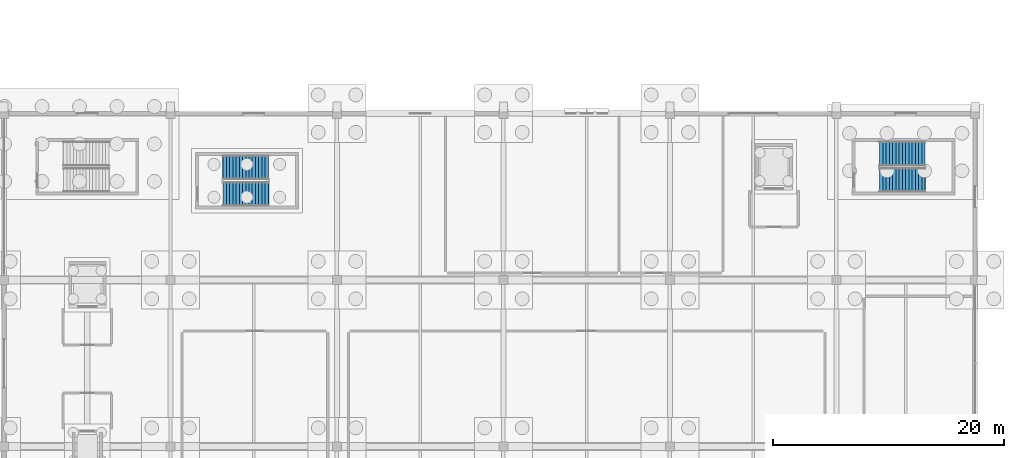
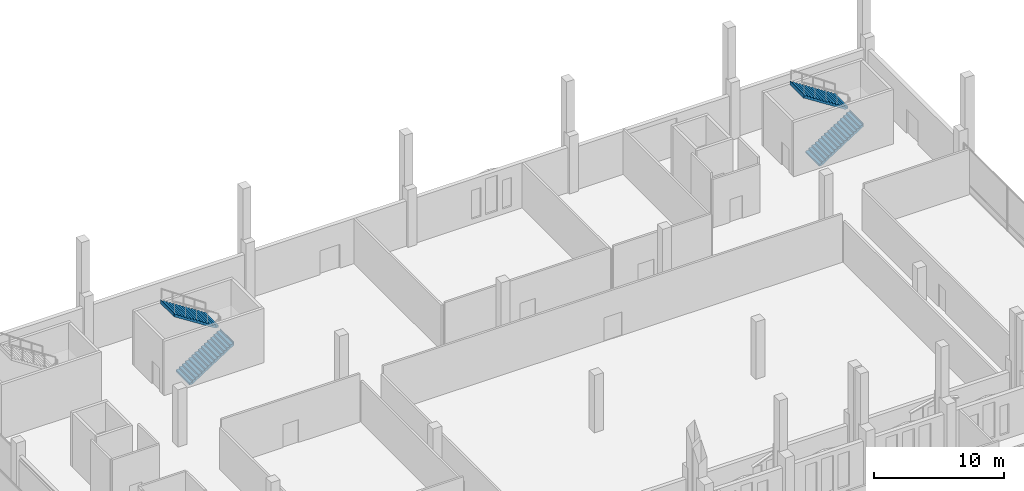
# One storey, part 168 of 192: 4 stair flights, 2 elements without a shape of their own.
"""IFC4 building model written with IfcOpenShell, lengths in metres."""

from ifc_helpers import new_model, si_unit, direction, frame, origin, place, context, subcontext, project, spatial, triangles, material, type_object, element, aggregate, save


model = new_model("IFC4")

# Units and contexts
model_context = context("Model", 3, precision=1e-05, world=origin(), true_north=direction((0.0, 1.0)))
body_context = subcontext(model_context, "Body", "Model", "MODEL_VIEW")
ifc_project = project(units=[si_unit("LENGTHUNIT", "METRE"), si_unit("AREAUNIT", "SQUARE_METRE"), si_unit("VOLUMEUNIT", "CUBIC_METRE"), si_unit("PLANEANGLEUNIT", "RADIAN"), si_unit("MASSUNIT", "GRAM", prefix="KILO")], contexts=[model_context])

# Site, building, storey
site_placement = place(None, origin())
site = spatial("IfcSite", under=ifc_project, at=site_placement, CompositionType="ELEMENT")
building_placement = place(site_placement, origin())
building = spatial("IfcBuilding", under=site, at=building_placement, Name="Cendralis Lancet Convention Centre", CompositionType="ELEMENT")
storey_placement = place(building_placement, origin())
storey = spatial("IfcBuildingStorey", under=building, at=storey_placement, Name="L00", CompositionType="ELEMENT", Elevation=0.0)

# Stair, stair flights
ifc_material = material(Name="Concrete G35 (C35/45)", Category="concrete")
stair_type = type_object("IfcStairType", Name="ARC-ST-CORE", PredefinedType="HALF_TURN_STAIR", material=ifc_material)
stair_1_placement = place(storey_placement, origin())
stair_1 = element("IfcStair", 1, at=stair_1_placement, inside=storey, type_object=stair_type, Name="L00 Protected Exit Stair ST-06", PredefinedType="HALF_TURN_STAIR")
stair_flight_type = type_object("IfcStairFlightType", Name="ARC-SF-CORE", PredefinedType="STRAIGHT", material=ifc_material)
stair_flight_1_placement = place(storey_placement, frame((200.550048828125, 131.050048828125, 0.0), z_axis=(0.0, 0.0, 1.0), x_axis=(1.0, 0.0, 0.0)))
stair_flight_1 = element("IfcStairFlight", 2, at=stair_flight_1_placement, type_object=stair_flight_type, Name="ST-06 flight 1", NumberOfRisers=15, NumberOfTreads=14, PredefinedType="STRAIGHT", RiserHeight=0.18, TreadLength=0.28, context=body_context, shape_type="Tessellation", body=[
    triangles([(0.0, 0.0, 0.09), (0.0, 1.050049, 0.0), (0.0, -1.050049, 0.0), (0.0, -1.050049, 0.18), (0.0, 1.050049, 0.18), (0.138604, 0.0, 0.18), (0.277208, -1.050049, 0.18), (0.277208, 1.050049, 0.18), (0.138604, 0.0, 0.0), (0.277208, -1.050049, 0.0), (0.277208, 1.050049, 0.0), (0.278604, 0.0, 0.18), (0.28, -1.050049, 0.18), (0.28, 1.050049, 0.18), (0.278604, 0.0, 0.000897), (0.28, -1.050049, 0.001795), (0.28, 1.050049, 0.001795), (0.28, 0.0, 0.27), (0.28, -1.050049, 0.36), (0.28, 1.050049, 0.36), (0.42, 0.0, 0.36), (0.56, -1.050049, 0.36), (0.56, 1.050049, 0.36), (0.42, 0.0, 0.091795), (0.56, -1.050049, 0.181795), (0.56, 1.050049, 0.181795), (0.56, 0.0, 0.45), (0.56, -1.050049, 0.54), (0.56, 1.050049, 0.54), (0.7, 0.0, 0.54), (0.84, -1.050049, 0.54), (0.84, 1.050049, 0.54), (0.7, 0.0, 0.271795), (0.84, -1.050049, 0.361795), (0.84, 1.050049, 0.361795), (0.84, 0.0, 0.63), (0.84, -1.050049, 0.72), (0.84, 1.050049, 0.72), (0.98, 0.0, 0.72), (1.12, -1.050049, 0.72), (1.12, 1.050049, 0.72), (0.98, 0.0, 0.451795), (1.12, -1.050049, 0.541795), (1.12, 1.050049, 0.541795), (1.12, 0.0, 0.81), (1.12, -1.050049, 0.9), (1.12, 1.050049, 0.9), (1.26, 0.0, 0.9), (1.4, -1.050049, 0.9), (1.4, 1.050049, 0.9), (1.26, 0.0, 0.631795), (1.4, -1.050049, 0.721795), (1.4, 1.050049, 0.721795), (1.4, 0.0, 0.99), (1.4, -1.050049, 1.08), (1.4, 1.050049, 1.08), (1.54, 0.0, 1.08), (1.68, -1.050049, 1.08), (1.68, 1.050049, 1.08), (1.54, 0.0, 0.811795), (1.68, -1.050049, 0.901795), (1.68, 1.050049, 0.901795), (1.68, 0.0, 1.17), (1.68, -1.050049, 1.26), (1.68, 1.050049, 1.26), (1.82, 0.0, 1.26), (1.96, -1.050049, 1.26), (1.96, 1.050049, 1.26), (1.82, 0.0, 0.991795), (1.96, -1.050049, 1.081795), (1.96, 1.050049, 1.081795), (1.96, 0.0, 1.35), (1.96, -1.050049, 1.44), (1.96, 1.050049, 1.44), (2.1, 0.0, 1.44), (2.24, -1.050049, 1.44), (2.24, 1.050049, 1.44), (2.1, 0.0, 1.171795), (2.24, -1.050049, 1.261795), (2.24, 1.050049, 1.261795), (2.24, 0.0, 1.53), (2.24, -1.050049, 1.62), (2.24, 1.050049, 1.62), (2.38, 0.0, 1.62), (2.52, -1.050049, 1.62), (2.52, 1.050049, 1.62), (2.38, 0.0, 1.351795), (2.52, -1.050049, 1.441795), (2.52, 1.050049, 1.441795), (2.52, 0.0, 1.71), (2.52, -1.050049, 1.8), (2.52, 1.050049, 1.8), (2.66, 0.0, 1.8), (2.8, -1.050049, 1.8), (2.8, 1.050049, 1.8), (2.66, 0.0, 1.531795), (2.8, -1.050049, 1.621795), (2.8, 1.050049, 1.621795), (2.8, 0.0, 1.89), (2.8, -1.050049, 1.98), (2.8, 1.050049, 1.98), (2.94, 0.0, 1.98), (3.08, -1.050049, 1.98), (3.08, 1.050049, 1.98), (2.94, 0.0, 1.711795), (3.08, -1.050049, 1.801795), (3.08, 1.050049, 1.801795), (3.08, 0.0, 2.07), (3.08, -1.050049, 2.16), (3.08, 1.050049, 2.16), (3.22, 0.0, 2.16), (3.36, -1.050049, 2.16), (3.36, 1.050049, 2.16), (3.22, 0.0, 1.891795), (3.36, -1.050049, 1.981795), (3.36, 1.050049, 1.981795), (3.36, 0.0, 2.25), (3.36, -1.050049, 2.34), (3.36, 1.050049, 2.34), (3.5, 0.0, 2.34), (3.64, -1.050049, 2.34), (3.64, 1.050049, 2.34), (3.5, 0.0, 2.071795), (3.64, -1.050049, 2.161795), (3.64, 1.050049, 2.161795), (3.64, 0.0, 2.43), (3.64, -1.050049, 2.52), (3.64, 1.050049, 2.52), (3.78, 0.0, 2.52), (3.92, -1.050049, 2.52), (3.92, 1.050049, 2.52), (3.78, 0.0, 2.251795), (3.92, -1.050049, 2.341795), (3.92, 1.050049, 2.341795), (3.92, 0.0, 2.61), (3.92, -1.050049, 2.7), (3.92, 1.050049, 2.7), (3.94, 0.0, 2.7), (3.96, -1.050049, 2.7), (3.96, 1.050049, 2.7), (3.94, 0.0, 2.341795), (3.96, -1.050049, 2.341795), (3.96, 1.050049, 2.341795), (3.96, 0.0, 2.520898)], [[2, 3, 1], [3, 4, 1], [4, 5, 1], [5, 2, 1], [4, 7, 6], [7, 8, 6], [8, 5, 6], [5, 4, 6], [10, 3, 9], [3, 2, 9], [2, 11, 9], [11, 10, 9], [3, 10, 7], [3, 7, 4], [2, 8, 11], [2, 5, 8], [7, 13, 12], [13, 14, 12], [14, 8, 12], [8, 7, 12], [16, 10, 15], [10, 11, 15], [11, 17, 15], [17, 16, 15], [10, 16, 13], [10, 13, 7], [11, 14, 17], [11, 8, 14], [14, 13, 18], [13, 19, 18], [19, 20, 18], [20, 14, 18], [19, 22, 21], [22, 23, 21], [23, 20, 21], [20, 19, 21], [25, 16, 24], [16, 17, 24], [17, 26, 24], [26, 25, 24], [16, 25, 22], [16, 22, 13], [13, 22, 19], [17, 23, 26], [17, 14, 23], [14, 20, 23], [23, 22, 27], [22, 28, 27], [28, 29, 27], [29, 23, 27], [28, 31, 30], [31, 32, 30], [32, 29, 30], [29, 28, 30], [34, 25, 33], [25, 26, 33], [26, 35, 33], [35, 34, 33], [25, 34, 31], [25, 31, 22], [22, 31, 28], [26, 32, 35], [26, 23, 32], [23, 29, 32], [32, 31, 36], [31, 37, 36], [37, 38, 36], [38, 32, 36], [37, 40, 39], [40, 41, 39], [41, 38, 39], [38, 37, 39], [43, 34, 42], [34, 35, 42], [35, 44, 42], [44, 43, 42], [34, 43, 40], [34, 40, 31], [31, 40, 37], [35, 41, 44], [35, 32, 41], [32, 38, 41], [41, 40, 45], [40, 46, 45], [46, 47, 45], [47, 41, 45], [46, 49, 48], [49, 50, 48], [50, 47, 48], [47, 46, 48], [52, 43, 51], [43, 44, 51], [44, 53, 51], [53, 52, 51], [43, 52, 49], [43, 49, 40], [40, 49, 46], [44, 50, 53], [44, 41, 50], [41, 47, 50], [50, 49, 54], [49, 55, 54], [55, 56, 54], [56, 50, 54], [55, 58, 57], [58, 59, 57], [59, 56, 57], [56, 55, 57], [61, 52, 60], [52, 53, 60], [53, 62, 60], [62, 61, 60], [52, 61, 58], [52, 58, 49], [49, 58, 55], [53, 59, 62], [53, 50, 59], [50, 56, 59], [59, 58, 63], [58, 64, 63], [64, 65, 63], [65, 59, 63], [64, 67, 66], [67, 68, 66], [68, 65, 66], [65, 64, 66], [70, 61, 69], [61, 62, 69], [62, 71, 69], [71, 70, 69], [61, 70, 67], [61, 67, 58], [58, 67, 64], [62, 68, 71], [62, 59, 68], [59, 65, 68], [68, 67, 72], [67, 73, 72], [73, 74, 72], [74, 68, 72], [73, 76, 75], [76, 77, 75], [77, 74, 75], [74, 73, 75], [79, 70, 78], [70, 71, 78], [71, 80, 78], [80, 79, 78], [70, 79, 76], [70, 76, 67], [67, 76, 73], [71, 77, 80], [71, 68, 77], [68, 74, 77], [77, 76, 81], [76, 82, 81], [82, 83, 81], [83, 77, 81], [82, 85, 84], [85, 86, 84], [86, 83, 84], [83, 82, 84], [88, 79, 87], [79, 80, 87], [80, 89, 87], [89, 88, 87], [79, 88, 85], [79, 85, 76], [76, 85, 82], [80, 86, 89], [80, 77, 86], [77, 83, 86], [86, 85, 90], [85, 91, 90], [91, 92, 90], [92, 86, 90], [91, 94, 93], [94, 95, 93], [95, 92, 93], [92, 91, 93], [97, 88, 96], [88, 89, 96], [89, 98, 96], [98, 97, 96], [88, 97, 94], [88, 94, 85], [85, 94, 91], [89, 95, 98], [89, 86, 95], [86, 92, 95], [95, 94, 99], [94, 100, 99], [100, 101, 99], [101, 95, 99], [100, 103, 102], [103, 104, 102], [104, 101, 102], [101, 100, 102], [106, 97, 105], [97, 98, 105], [98, 107, 105], [107, 106, 105], [97, 106, 103], [97, 103, 94], [94, 103, 100], [98, 104, 107], [98, 95, 104], [95, 101, 104], [104, 103, 108], [103, 109, 108], [109, 110, 108], [110, 104, 108], [109, 112, 111], [112, 113, 111], [113, 110, 111], [110, 109, 111], [115, 106, 114], [106, 107, 114], [107, 116, 114], [116, 115, 114], [106, 115, 112], [106, 112, 103], [103, 112, 109], [107, 113, 116], [107, 104, 113], [104, 110, 113], [113, 112, 117], [112, 118, 117], [118, 119, 117], [119, 113, 117], [118, 121, 120], [121, 122, 120], [122, 119, 120], [119, 118, 120], [124, 115, 123], [115, 116, 123], [116, 125, 123], [125, 124, 123], [115, 124, 121], [115, 121, 112], [112, 121, 118], [116, 122, 125], [116, 113, 122], [113, 119, 122], [122, 121, 126], [121, 127, 126], [127, 128, 126], [128, 122, 126], [127, 130, 129], [130, 131, 129], [131, 128, 129], [128, 127, 129], [133, 124, 132], [124, 125, 132], [125, 134, 132], [134, 133, 132], [124, 133, 130], [124, 130, 121], [121, 130, 127], [125, 131, 134], [125, 122, 131], [122, 128, 131], [131, 130, 135], [130, 136, 135], [136, 137, 135], [137, 131, 135], [136, 139, 138], [139, 140, 138], [140, 137, 138], [137, 136, 138], [142, 133, 141], [133, 134, 141], [134, 143, 141], [143, 142, 141], [133, 142, 139], [133, 139, 130], [130, 139, 136], [134, 140, 143], [134, 131, 140], [131, 137, 140], [142, 143, 144], [143, 140, 144], [140, 139, 144], [139, 142, 144]], closed=True),
])
stair_flight_2_placement = place(storey_placement, frame((204.469970703125, 133.330078125, 2.699951171875), z_axis=(0.0, 0.0, 1.0), x_axis=(-1.0, 0.0, 0.0)))
stair_flight_2 = element("IfcStairFlight", 3, at=stair_flight_2_placement, type_object=stair_flight_type, Name="ST-06 flight 2", NumberOfRisers=15, NumberOfTreads=14, PredefinedType="STRAIGHT", RiserHeight=0.18, TreadLength=0.28, context=body_context, shape_type="Tessellation", body=[
    triangles([(0.0, 0.0, 0.09), (0.0, 1.050049, 0.0), (0.0, -1.050049, 0.0), (0.0, -1.050049, 0.18), (0.0, 1.050049, 0.18), (0.138604, 0.0, 0.18), (0.277208, -1.050049, 0.18), (0.277208, 1.050049, 0.18), (0.138604, 0.0, 0.0), (0.277208, -1.050049, 0.0), (0.277208, 1.050049, 0.0), (0.278604, 0.0, 0.18), (0.28, -1.050049, 0.18), (0.28, 1.050049, 0.18), (0.278604, 0.0, 0.000897), (0.28, -1.050049, 0.001795), (0.28, 1.050049, 0.001795), (0.28, 0.0, 0.27), (0.28, -1.050049, 0.36), (0.28, 1.050049, 0.36), (0.42, 0.0, 0.36), (0.56, -1.050049, 0.36), (0.56, 1.050049, 0.36), (0.42, 0.0, 0.091795), (0.56, -1.050049, 0.181795), (0.56, 1.050049, 0.181795), (0.56, 0.0, 0.45), (0.56, -1.050049, 0.54), (0.56, 1.050049, 0.54), (0.7, 0.0, 0.54), (0.84, -1.050049, 0.54), (0.84, 1.050049, 0.54), (0.7, 0.0, 0.271795), (0.84, -1.050049, 0.361795), (0.84, 1.050049, 0.361795), (0.84, 0.0, 0.63), (0.84, -1.050049, 0.72), (0.84, 1.050049, 0.72), (0.98, 0.0, 0.72), (1.12, -1.050049, 0.72), (1.12, 1.050049, 0.72), (0.98, 0.0, 0.451795), (1.12, -1.050049, 0.541795), (1.12, 1.050049, 0.541795), (1.12, 0.0, 0.81), (1.12, -1.050049, 0.9), (1.12, 1.050049, 0.9), (1.26, 0.0, 0.9), (1.4, -1.050049, 0.9), (1.4, 1.050049, 0.9), (1.26, 0.0, 0.631795), (1.4, -1.050049, 0.721795), (1.4, 1.050049, 0.721795), (1.4, 0.0, 0.99), (1.4, -1.050049, 1.08), (1.4, 1.050049, 1.08), (1.54, 0.0, 1.08), (1.68, -1.050049, 1.08), (1.68, 1.050049, 1.08), (1.54, 0.0, 0.811795), (1.68, -1.050049, 0.901795), (1.68, 1.050049, 0.901795), (1.68, 0.0, 1.17), (1.68, -1.050049, 1.26), (1.68, 1.050049, 1.26), (1.82, 0.0, 1.26), (1.96, -1.050049, 1.26), (1.96, 1.050049, 1.26), (1.82, 0.0, 0.991795), (1.96, -1.050049, 1.081795), (1.96, 1.050049, 1.081795), (1.96, 0.0, 1.35), (1.96, -1.050049, 1.44), (1.96, 1.050049, 1.44), (2.1, 0.0, 1.44), (2.24, -1.050049, 1.44), (2.24, 1.050049, 1.44), (2.1, 0.0, 1.171795), (2.24, -1.050049, 1.261795), (2.24, 1.050049, 1.261795), (2.24, 0.0, 1.53), (2.24, -1.050049, 1.62), (2.24, 1.050049, 1.62), (2.38, 0.0, 1.62), (2.52, -1.050049, 1.62), (2.52, 1.050049, 1.62), (2.38, 0.0, 1.351795), (2.52, -1.050049, 1.441795), (2.52, 1.050049, 1.441795), (2.52, 0.0, 1.71), (2.52, -1.050049, 1.8), (2.52, 1.050049, 1.8), (2.66, 0.0, 1.8), (2.8, -1.050049, 1.8), (2.8, 1.050049, 1.8), (2.66, 0.0, 1.531795), (2.8, -1.050049, 1.621795), (2.8, 1.050049, 1.621795), (2.8, 0.0, 1.89), (2.8, -1.050049, 1.98), (2.8, 1.050049, 1.98), (2.94, 0.0, 1.98), (3.08, -1.050049, 1.98), (3.08, 1.050049, 1.98), (2.94, 0.0, 1.711795), (3.08, -1.050049, 1.801795), (3.08, 1.050049, 1.801795), (3.08, 0.0, 2.07), (3.08, -1.050049, 2.16), (3.08, 1.050049, 2.16), (3.22, 0.0, 2.16), (3.36, -1.050049, 2.16), (3.36, 1.050049, 2.16), (3.22, 0.0, 1.891795), (3.36, -1.050049, 1.981795), (3.36, 1.050049, 1.981795), (3.36, 0.0, 2.25), (3.36, -1.050049, 2.34), (3.36, 1.050049, 2.34), (3.5, 0.0, 2.34), (3.64, -1.050049, 2.34), (3.64, 1.050049, 2.34), (3.5, 0.0, 2.071795), (3.64, -1.050049, 2.161795), (3.64, 1.050049, 2.161795), (3.64, 0.0, 2.43), (3.64, -1.050049, 2.52), (3.64, 1.050049, 2.52), (3.78, 0.0, 2.52), (3.92, -1.050049, 2.52), (3.92, 1.050049, 2.52), (3.78, 0.0, 2.251795), (3.92, -1.050049, 2.341795), (3.92, 1.050049, 2.341795), (3.92, 0.0, 2.61), (3.92, -1.050049, 2.7), (3.92, 1.050049, 2.7), (3.94, 0.0, 2.7), (3.96, -1.050049, 2.7), (3.96, 1.050049, 2.7), (3.94, 0.0, 2.341795), (3.96, -1.050049, 2.341795), (3.96, 1.050049, 2.341795), (3.96, 0.0, 2.520898)], [[2, 3, 1], [3, 4, 1], [4, 5, 1], [5, 2, 1], [4, 7, 6], [7, 8, 6], [8, 5, 6], [5, 4, 6], [10, 3, 9], [3, 2, 9], [2, 11, 9], [11, 10, 9], [3, 10, 7], [3, 7, 4], [2, 8, 11], [2, 5, 8], [7, 13, 12], [13, 14, 12], [14, 8, 12], [8, 7, 12], [16, 10, 15], [10, 11, 15], [11, 17, 15], [17, 16, 15], [10, 16, 13], [10, 13, 7], [11, 14, 17], [11, 8, 14], [14, 13, 18], [13, 19, 18], [19, 20, 18], [20, 14, 18], [19, 22, 21], [22, 23, 21], [23, 20, 21], [20, 19, 21], [25, 16, 24], [16, 17, 24], [17, 26, 24], [26, 25, 24], [16, 25, 22], [16, 22, 13], [13, 22, 19], [17, 23, 26], [17, 14, 23], [14, 20, 23], [23, 22, 27], [22, 28, 27], [28, 29, 27], [29, 23, 27], [28, 31, 30], [31, 32, 30], [32, 29, 30], [29, 28, 30], [34, 25, 33], [25, 26, 33], [26, 35, 33], [35, 34, 33], [25, 34, 31], [25, 31, 22], [22, 31, 28], [26, 32, 35], [26, 23, 32], [23, 29, 32], [32, 31, 36], [31, 37, 36], [37, 38, 36], [38, 32, 36], [37, 40, 39], [40, 41, 39], [41, 38, 39], [38, 37, 39], [43, 34, 42], [34, 35, 42], [35, 44, 42], [44, 43, 42], [34, 43, 40], [34, 40, 31], [31, 40, 37], [35, 41, 44], [35, 32, 41], [32, 38, 41], [41, 40, 45], [40, 46, 45], [46, 47, 45], [47, 41, 45], [46, 49, 48], [49, 50, 48], [50, 47, 48], [47, 46, 48], [52, 43, 51], [43, 44, 51], [44, 53, 51], [53, 52, 51], [43, 52, 49], [43, 49, 40], [40, 49, 46], [44, 50, 53], [44, 41, 50], [41, 47, 50], [50, 49, 54], [49, 55, 54], [55, 56, 54], [56, 50, 54], [55, 58, 57], [58, 59, 57], [59, 56, 57], [56, 55, 57], [61, 52, 60], [52, 53, 60], [53, 62, 60], [62, 61, 60], [52, 61, 58], [52, 58, 49], [49, 58, 55], [53, 59, 62], [53, 50, 59], [50, 56, 59], [59, 58, 63], [58, 64, 63], [64, 65, 63], [65, 59, 63], [64, 67, 66], [67, 68, 66], [68, 65, 66], [65, 64, 66], [70, 61, 69], [61, 62, 69], [62, 71, 69], [71, 70, 69], [61, 70, 67], [61, 67, 58], [58, 67, 64], [62, 68, 71], [62, 59, 68], [59, 65, 68], [68, 67, 72], [67, 73, 72], [73, 74, 72], [74, 68, 72], [73, 76, 75], [76, 77, 75], [77, 74, 75], [74, 73, 75], [79, 70, 78], [70, 71, 78], [71, 80, 78], [80, 79, 78], [70, 79, 76], [70, 76, 67], [67, 76, 73], [71, 77, 80], [71, 68, 77], [68, 74, 77], [77, 76, 81], [76, 82, 81], [82, 83, 81], [83, 77, 81], [82, 85, 84], [85, 86, 84], [86, 83, 84], [83, 82, 84], [88, 79, 87], [79, 80, 87], [80, 89, 87], [89, 88, 87], [79, 88, 85], [79, 85, 76], [76, 85, 82], [80, 86, 89], [80, 77, 86], [77, 83, 86], [86, 85, 90], [85, 91, 90], [91, 92, 90], [92, 86, 90], [91, 94, 93], [94, 95, 93], [95, 92, 93], [92, 91, 93], [97, 88, 96], [88, 89, 96], [89, 98, 96], [98, 97, 96], [88, 97, 94], [88, 94, 85], [85, 94, 91], [89, 95, 98], [89, 86, 95], [86, 92, 95], [95, 94, 99], [94, 100, 99], [100, 101, 99], [101, 95, 99], [100, 103, 102], [103, 104, 102], [104, 101, 102], [101, 100, 102], [106, 97, 105], [97, 98, 105], [98, 107, 105], [107, 106, 105], [97, 106, 103], [97, 103, 94], [94, 103, 100], [98, 104, 107], [98, 95, 104], [95, 101, 104], [104, 103, 108], [103, 109, 108], [109, 110, 108], [110, 104, 108], [109, 112, 111], [112, 113, 111], [113, 110, 111], [110, 109, 111], [115, 106, 114], [106, 107, 114], [107, 116, 114], [116, 115, 114], [106, 115, 112], [106, 112, 103], [103, 112, 109], [107, 113, 116], [107, 104, 113], [104, 110, 113], [113, 112, 117], [112, 118, 117], [118, 119, 117], [119, 113, 117], [118, 121, 120], [121, 122, 120], [122, 119, 120], [119, 118, 120], [124, 115, 123], [115, 116, 123], [116, 125, 123], [125, 124, 123], [115, 124, 121], [115, 121, 112], [112, 121, 118], [116, 122, 125], [116, 113, 122], [113, 119, 122], [122, 121, 126], [121, 127, 126], [127, 128, 126], [128, 122, 126], [127, 130, 129], [130, 131, 129], [131, 128, 129], [128, 127, 129], [133, 124, 132], [124, 125, 132], [125, 134, 132], [134, 133, 132], [124, 133, 130], [124, 130, 121], [121, 130, 127], [125, 131, 134], [125, 122, 131], [122, 128, 131], [131, 130, 135], [130, 136, 135], [136, 137, 135], [137, 131, 135], [136, 139, 138], [139, 140, 138], [140, 137, 138], [137, 136, 138], [142, 133, 141], [133, 134, 141], [134, 143, 141], [143, 142, 141], [133, 142, 139], [133, 139, 130], [130, 139, 136], [134, 140, 143], [134, 131, 140], [131, 137, 140], [142, 143, 144], [143, 140, 144], [140, 139, 144], [139, 142, 144]], closed=True),
])
aggregate(stair_1, [stair_flight_1, stair_flight_2])

stair_2_placement = place(storey_placement, origin())
stair_2 = element("IfcStair", 4, at=stair_2_placement, inside=storey, type_object=stair_type, Name="L00 Protected Exit Stair ST-19", PredefinedType="HALF_TURN_STAIR")
stair_flight_3_placement = place(storey_placement, frame((143.75, 129.85009765625, 0.0), z_axis=(0.0, 0.0, 1.0), x_axis=(1.0, 0.0, 0.0)))
stair_flight_3 = element("IfcStairFlight", 5, at=stair_flight_3_placement, type_object=stair_flight_type, Name="ST-19 flight 1", NumberOfRisers=15, NumberOfTreads=14, PredefinedType="STRAIGHT", RiserHeight=0.18, TreadLength=0.28, context=body_context, shape_type="Tessellation", body=[
    triangles([(0.0, 0.0, 0.09), (0.0, 1.050049, 0.0), (0.0, -1.050049, 0.0), (0.0, -1.050049, 0.18), (0.0, 1.050049, 0.18), (0.138604, 0.0, 0.18), (0.277208, -1.050049, 0.18), (0.277208, 1.050049, 0.18), (0.138604, 0.0, 0.0), (0.277208, -1.050049, 0.0), (0.277208, 1.050049, 0.0), (0.278604, 0.0, 0.18), (0.28, -1.050049, 0.18), (0.28, 1.050049, 0.18), (0.278604, 0.0, 0.000897), (0.28, -1.050049, 0.001795), (0.28, 1.050049, 0.001795), (0.28, 0.0, 0.27), (0.28, -1.050049, 0.36), (0.28, 1.050049, 0.36), (0.42, 0.0, 0.36), (0.56, -1.050049, 0.36), (0.56, 1.050049, 0.36), (0.42, 0.0, 0.091795), (0.56, -1.050049, 0.181795), (0.56, 1.050049, 0.181795), (0.56, 0.0, 0.45), (0.56, -1.050049, 0.54), (0.56, 1.050049, 0.54), (0.7, 0.0, 0.54), (0.84, -1.050049, 0.54), (0.84, 1.050049, 0.54), (0.7, 0.0, 0.271795), (0.84, -1.050049, 0.361795), (0.84, 1.050049, 0.361795), (0.84, 0.0, 0.63), (0.84, -1.050049, 0.72), (0.84, 1.050049, 0.72), (0.98, 0.0, 0.72), (1.12, -1.050049, 0.72), (1.12, 1.050049, 0.72), (0.98, 0.0, 0.451795), (1.12, -1.050049, 0.541795), (1.12, 1.050049, 0.541795), (1.12, 0.0, 0.81), (1.12, -1.050049, 0.9), (1.12, 1.050049, 0.9), (1.26, 0.0, 0.9), (1.4, -1.050049, 0.9), (1.4, 1.050049, 0.9), (1.26, 0.0, 0.631795), (1.4, -1.050049, 0.721795), (1.4, 1.050049, 0.721795), (1.4, 0.0, 0.99), (1.4, -1.050049, 1.08), (1.4, 1.050049, 1.08), (1.54, 0.0, 1.08), (1.68, -1.050049, 1.08), (1.68, 1.050049, 1.08), (1.54, 0.0, 0.811795), (1.68, -1.050049, 0.901795), (1.68, 1.050049, 0.901795), (1.68, 0.0, 1.17), (1.68, -1.050049, 1.26), (1.68, 1.050049, 1.26), (1.82, 0.0, 1.26), (1.96, -1.050049, 1.26), (1.96, 1.050049, 1.26), (1.82, 0.0, 0.991795), (1.96, -1.050049, 1.081795), (1.96, 1.050049, 1.081795), (1.96, 0.0, 1.35), (1.96, -1.050049, 1.44), (1.96, 1.050049, 1.44), (2.1, 0.0, 1.44), (2.24, -1.050049, 1.44), (2.24, 1.050049, 1.44), (2.1, 0.0, 1.171795), (2.24, -1.050049, 1.261795), (2.24, 1.050049, 1.261795), (2.24, 0.0, 1.53), (2.24, -1.050049, 1.62), (2.24, 1.050049, 1.62), (2.38, 0.0, 1.62), (2.52, -1.050049, 1.62), (2.52, 1.050049, 1.62), (2.38, 0.0, 1.351795), (2.52, -1.050049, 1.441795), (2.52, 1.050049, 1.441795), (2.52, 0.0, 1.71), (2.52, -1.050049, 1.8), (2.52, 1.050049, 1.8), (2.66, 0.0, 1.8), (2.8, -1.050049, 1.8), (2.8, 1.050049, 1.8), (2.66, 0.0, 1.531795), (2.8, -1.050049, 1.621795), (2.8, 1.050049, 1.621795), (2.8, 0.0, 1.89), (2.8, -1.050049, 1.98), (2.8, 1.050049, 1.98), (2.94, 0.0, 1.98), (3.08, -1.050049, 1.98), (3.08, 1.050049, 1.98), (2.94, 0.0, 1.711795), (3.08, -1.050049, 1.801795), (3.08, 1.050049, 1.801795), (3.08, 0.0, 2.07), (3.08, -1.050049, 2.16), (3.08, 1.050049, 2.16), (3.22, 0.0, 2.16), (3.36, -1.050049, 2.16), (3.36, 1.050049, 2.16), (3.22, 0.0, 1.891795), (3.36, -1.050049, 1.981795), (3.36, 1.050049, 1.981795), (3.36, 0.0, 2.25), (3.36, -1.050049, 2.34), (3.36, 1.050049, 2.34), (3.5, 0.0, 2.34), (3.64, -1.050049, 2.34), (3.64, 1.050049, 2.34), (3.5, 0.0, 2.071795), (3.64, -1.050049, 2.161795), (3.64, 1.050049, 2.161795), (3.64, 0.0, 2.43), (3.64, -1.050049, 2.52), (3.64, 1.050049, 2.52), (3.78, 0.0, 2.52), (3.92, -1.050049, 2.52), (3.92, 1.050049, 2.52), (3.78, 0.0, 2.251795), (3.92, -1.050049, 2.341795), (3.92, 1.050049, 2.341795), (3.92, 0.0, 2.61), (3.92, -1.050049, 2.7), (3.92, 1.050049, 2.7), (3.94, 0.0, 2.7), (3.96, -1.050049, 2.7), (3.96, 1.050049, 2.7), (3.94, 0.0, 2.341795), (3.96, -1.050049, 2.341795), (3.96, 1.050049, 2.341795), (3.96, 0.0, 2.520898)], [[2, 3, 1], [3, 4, 1], [4, 5, 1], [5, 2, 1], [4, 7, 6], [7, 8, 6], [8, 5, 6], [5, 4, 6], [10, 3, 9], [3, 2, 9], [2, 11, 9], [11, 10, 9], [3, 10, 7], [3, 7, 4], [2, 8, 11], [2, 5, 8], [7, 13, 12], [13, 14, 12], [14, 8, 12], [8, 7, 12], [16, 10, 15], [10, 11, 15], [11, 17, 15], [17, 16, 15], [10, 16, 13], [10, 13, 7], [11, 14, 17], [11, 8, 14], [14, 13, 18], [13, 19, 18], [19, 20, 18], [20, 14, 18], [19, 22, 21], [22, 23, 21], [23, 20, 21], [20, 19, 21], [25, 16, 24], [16, 17, 24], [17, 26, 24], [26, 25, 24], [16, 25, 22], [16, 22, 13], [13, 22, 19], [17, 23, 26], [17, 14, 23], [14, 20, 23], [23, 22, 27], [22, 28, 27], [28, 29, 27], [29, 23, 27], [28, 31, 30], [31, 32, 30], [32, 29, 30], [29, 28, 30], [34, 25, 33], [25, 26, 33], [26, 35, 33], [35, 34, 33], [25, 34, 31], [25, 31, 22], [22, 31, 28], [26, 32, 35], [26, 23, 32], [23, 29, 32], [32, 31, 36], [31, 37, 36], [37, 38, 36], [38, 32, 36], [37, 40, 39], [40, 41, 39], [41, 38, 39], [38, 37, 39], [43, 34, 42], [34, 35, 42], [35, 44, 42], [44, 43, 42], [34, 43, 40], [34, 40, 31], [31, 40, 37], [35, 41, 44], [35, 32, 41], [32, 38, 41], [41, 40, 45], [40, 46, 45], [46, 47, 45], [47, 41, 45], [46, 49, 48], [49, 50, 48], [50, 47, 48], [47, 46, 48], [52, 43, 51], [43, 44, 51], [44, 53, 51], [53, 52, 51], [43, 52, 49], [43, 49, 40], [40, 49, 46], [44, 50, 53], [44, 41, 50], [41, 47, 50], [50, 49, 54], [49, 55, 54], [55, 56, 54], [56, 50, 54], [55, 58, 57], [58, 59, 57], [59, 56, 57], [56, 55, 57], [61, 52, 60], [52, 53, 60], [53, 62, 60], [62, 61, 60], [52, 61, 58], [52, 58, 49], [49, 58, 55], [53, 59, 62], [53, 50, 59], [50, 56, 59], [59, 58, 63], [58, 64, 63], [64, 65, 63], [65, 59, 63], [64, 67, 66], [67, 68, 66], [68, 65, 66], [65, 64, 66], [70, 61, 69], [61, 62, 69], [62, 71, 69], [71, 70, 69], [61, 70, 67], [61, 67, 58], [58, 67, 64], [62, 68, 71], [62, 59, 68], [59, 65, 68], [68, 67, 72], [67, 73, 72], [73, 74, 72], [74, 68, 72], [73, 76, 75], [76, 77, 75], [77, 74, 75], [74, 73, 75], [79, 70, 78], [70, 71, 78], [71, 80, 78], [80, 79, 78], [70, 79, 76], [70, 76, 67], [67, 76, 73], [71, 77, 80], [71, 68, 77], [68, 74, 77], [77, 76, 81], [76, 82, 81], [82, 83, 81], [83, 77, 81], [82, 85, 84], [85, 86, 84], [86, 83, 84], [83, 82, 84], [88, 79, 87], [79, 80, 87], [80, 89, 87], [89, 88, 87], [79, 88, 85], [79, 85, 76], [76, 85, 82], [80, 86, 89], [80, 77, 86], [77, 83, 86], [86, 85, 90], [85, 91, 90], [91, 92, 90], [92, 86, 90], [91, 94, 93], [94, 95, 93], [95, 92, 93], [92, 91, 93], [97, 88, 96], [88, 89, 96], [89, 98, 96], [98, 97, 96], [88, 97, 94], [88, 94, 85], [85, 94, 91], [89, 95, 98], [89, 86, 95], [86, 92, 95], [95, 94, 99], [94, 100, 99], [100, 101, 99], [101, 95, 99], [100, 103, 102], [103, 104, 102], [104, 101, 102], [101, 100, 102], [106, 97, 105], [97, 98, 105], [98, 107, 105], [107, 106, 105], [97, 106, 103], [97, 103, 94], [94, 103, 100], [98, 104, 107], [98, 95, 104], [95, 101, 104], [104, 103, 108], [103, 109, 108], [109, 110, 108], [110, 104, 108], [109, 112, 111], [112, 113, 111], [113, 110, 111], [110, 109, 111], [115, 106, 114], [106, 107, 114], [107, 116, 114], [116, 115, 114], [106, 115, 112], [106, 112, 103], [103, 112, 109], [107, 113, 116], [107, 104, 113], [104, 110, 113], [113, 112, 117], [112, 118, 117], [118, 119, 117], [119, 113, 117], [118, 121, 120], [121, 122, 120], [122, 119, 120], [119, 118, 120], [124, 115, 123], [115, 116, 123], [116, 125, 123], [125, 124, 123], [115, 124, 121], [115, 121, 112], [112, 121, 118], [116, 122, 125], [116, 113, 122], [113, 119, 122], [122, 121, 126], [121, 127, 126], [127, 128, 126], [128, 122, 126], [127, 130, 129], [130, 131, 129], [131, 128, 129], [128, 127, 129], [133, 124, 132], [124, 125, 132], [125, 134, 132], [134, 133, 132], [124, 133, 130], [124, 130, 121], [121, 130, 127], [125, 131, 134], [125, 122, 131], [122, 128, 131], [131, 130, 135], [130, 136, 135], [136, 137, 135], [137, 131, 135], [136, 139, 138], [139, 140, 138], [140, 137, 138], [137, 136, 138], [142, 133, 141], [133, 134, 141], [134, 143, 141], [143, 142, 141], [133, 142, 139], [133, 139, 130], [130, 139, 136], [134, 140, 143], [134, 131, 140], [131, 137, 140], [142, 143, 144], [143, 140, 144], [140, 139, 144], [139, 142, 144]], closed=True),
])
stair_flight_4_placement = place(storey_placement, frame((147.669921875, 132.1298828125, 2.699951171875), z_axis=(0.0, 0.0, 1.0), x_axis=(-1.0, 0.0, 0.0)))
stair_flight_4 = element("IfcStairFlight", 6, at=stair_flight_4_placement, type_object=stair_flight_type, Name="ST-19 flight 2", NumberOfRisers=15, NumberOfTreads=14, PredefinedType="STRAIGHT", RiserHeight=0.18, TreadLength=0.28, context=body_context, shape_type="Tessellation", body=[
    triangles([(0.0, 0.0, 0.09), (0.0, 1.050049, 0.0), (0.0, -1.050049, 0.0), (0.0, -1.050049, 0.18), (0.0, 1.050049, 0.18), (0.138604, 0.0, 0.18), (0.277208, -1.050049, 0.18), (0.277208, 1.050049, 0.18), (0.138604, 0.0, 0.0), (0.277208, -1.050049, 0.0), (0.277208, 1.050049, 0.0), (0.278604, 0.0, 0.18), (0.28, -1.050049, 0.18), (0.28, 1.050049, 0.18), (0.278604, 0.0, 0.000897), (0.28, -1.050049, 0.001795), (0.28, 1.050049, 0.001795), (0.28, 0.0, 0.27), (0.28, -1.050049, 0.36), (0.28, 1.050049, 0.36), (0.42, 0.0, 0.36), (0.56, -1.050049, 0.36), (0.56, 1.050049, 0.36), (0.42, 0.0, 0.091795), (0.56, -1.050049, 0.181795), (0.56, 1.050049, 0.181795), (0.56, 0.0, 0.45), (0.56, -1.050049, 0.54), (0.56, 1.050049, 0.54), (0.7, 0.0, 0.54), (0.84, -1.050049, 0.54), (0.84, 1.050049, 0.54), (0.7, 0.0, 0.271795), (0.84, -1.050049, 0.361795), (0.84, 1.050049, 0.361795), (0.84, 0.0, 0.63), (0.84, -1.050049, 0.72), (0.84, 1.050049, 0.72), (0.98, 0.0, 0.72), (1.12, -1.050049, 0.72), (1.12, 1.050049, 0.72), (0.98, 0.0, 0.451795), (1.12, -1.050049, 0.541795), (1.12, 1.050049, 0.541795), (1.12, 0.0, 0.81), (1.12, -1.050049, 0.9), (1.12, 1.050049, 0.9), (1.26, 0.0, 0.9), (1.4, -1.050049, 0.9), (1.4, 1.050049, 0.9), (1.26, 0.0, 0.631795), (1.4, -1.050049, 0.721795), (1.4, 1.050049, 0.721795), (1.4, 0.0, 0.99), (1.4, -1.050049, 1.08), (1.4, 1.050049, 1.08), (1.54, 0.0, 1.08), (1.68, -1.050049, 1.08), (1.68, 1.050049, 1.08), (1.54, 0.0, 0.811795), (1.68, -1.050049, 0.901795), (1.68, 1.050049, 0.901795), (1.68, 0.0, 1.17), (1.68, -1.050049, 1.26), (1.68, 1.050049, 1.26), (1.82, 0.0, 1.26), (1.96, -1.050049, 1.26), (1.96, 1.050049, 1.26), (1.82, 0.0, 0.991795), (1.96, -1.050049, 1.081795), (1.96, 1.050049, 1.081795), (1.96, 0.0, 1.35), (1.96, -1.050049, 1.44), (1.96, 1.050049, 1.44), (2.1, 0.0, 1.44), (2.24, -1.050049, 1.44), (2.24, 1.050049, 1.44), (2.1, 0.0, 1.171795), (2.24, -1.050049, 1.261795), (2.24, 1.050049, 1.261795), (2.24, 0.0, 1.53), (2.24, -1.050049, 1.62), (2.24, 1.050049, 1.62), (2.38, 0.0, 1.62), (2.52, -1.050049, 1.62), (2.52, 1.050049, 1.62), (2.38, 0.0, 1.351795), (2.52, -1.050049, 1.441795), (2.52, 1.050049, 1.441795), (2.52, 0.0, 1.71), (2.52, -1.050049, 1.8), (2.52, 1.050049, 1.8), (2.66, 0.0, 1.8), (2.8, -1.050049, 1.8), (2.8, 1.050049, 1.8), (2.66, 0.0, 1.531795), (2.8, -1.050049, 1.621795), (2.8, 1.050049, 1.621795), (2.8, 0.0, 1.89), (2.8, -1.050049, 1.98), (2.8, 1.050049, 1.98), (2.94, 0.0, 1.98), (3.08, -1.050049, 1.98), (3.08, 1.050049, 1.98), (2.94, 0.0, 1.711795), (3.08, -1.050049, 1.801795), (3.08, 1.050049, 1.801795), (3.08, 0.0, 2.07), (3.08, -1.050049, 2.16), (3.08, 1.050049, 2.16), (3.22, 0.0, 2.16), (3.36, -1.050049, 2.16), (3.36, 1.050049, 2.16), (3.22, 0.0, 1.891795), (3.36, -1.050049, 1.981795), (3.36, 1.050049, 1.981795), (3.36, 0.0, 2.25), (3.36, -1.050049, 2.34), (3.36, 1.050049, 2.34), (3.5, 0.0, 2.34), (3.64, -1.050049, 2.34), (3.64, 1.050049, 2.34), (3.5, 0.0, 2.071795), (3.64, -1.050049, 2.161795), (3.64, 1.050049, 2.161795), (3.64, 0.0, 2.43), (3.64, -1.050049, 2.52), (3.64, 1.050049, 2.52), (3.78, 0.0, 2.52), (3.92, -1.050049, 2.52), (3.92, 1.050049, 2.52), (3.78, 0.0, 2.251795), (3.92, -1.050049, 2.341795), (3.92, 1.050049, 2.341795), (3.92, 0.0, 2.61), (3.92, -1.050049, 2.7), (3.92, 1.050049, 2.7), (3.94, 0.0, 2.7), (3.96, -1.050049, 2.7), (3.96, 1.050049, 2.7), (3.94, 0.0, 2.341795), (3.96, -1.050049, 2.341795), (3.96, 1.050049, 2.341795), (3.96, 0.0, 2.520898)], [[2, 3, 1], [3, 4, 1], [4, 5, 1], [5, 2, 1], [4, 7, 6], [7, 8, 6], [8, 5, 6], [5, 4, 6], [10, 3, 9], [3, 2, 9], [2, 11, 9], [11, 10, 9], [3, 10, 7], [3, 7, 4], [2, 8, 11], [2, 5, 8], [7, 13, 12], [13, 14, 12], [14, 8, 12], [8, 7, 12], [16, 10, 15], [10, 11, 15], [11, 17, 15], [17, 16, 15], [10, 16, 13], [10, 13, 7], [11, 14, 17], [11, 8, 14], [14, 13, 18], [13, 19, 18], [19, 20, 18], [20, 14, 18], [19, 22, 21], [22, 23, 21], [23, 20, 21], [20, 19, 21], [25, 16, 24], [16, 17, 24], [17, 26, 24], [26, 25, 24], [16, 25, 22], [16, 22, 13], [13, 22, 19], [17, 23, 26], [17, 14, 23], [14, 20, 23], [23, 22, 27], [22, 28, 27], [28, 29, 27], [29, 23, 27], [28, 31, 30], [31, 32, 30], [32, 29, 30], [29, 28, 30], [34, 25, 33], [25, 26, 33], [26, 35, 33], [35, 34, 33], [25, 34, 31], [25, 31, 22], [22, 31, 28], [26, 32, 35], [26, 23, 32], [23, 29, 32], [32, 31, 36], [31, 37, 36], [37, 38, 36], [38, 32, 36], [37, 40, 39], [40, 41, 39], [41, 38, 39], [38, 37, 39], [43, 34, 42], [34, 35, 42], [35, 44, 42], [44, 43, 42], [34, 43, 40], [34, 40, 31], [31, 40, 37], [35, 41, 44], [35, 32, 41], [32, 38, 41], [41, 40, 45], [40, 46, 45], [46, 47, 45], [47, 41, 45], [46, 49, 48], [49, 50, 48], [50, 47, 48], [47, 46, 48], [52, 43, 51], [43, 44, 51], [44, 53, 51], [53, 52, 51], [43, 52, 49], [43, 49, 40], [40, 49, 46], [44, 50, 53], [44, 41, 50], [41, 47, 50], [50, 49, 54], [49, 55, 54], [55, 56, 54], [56, 50, 54], [55, 58, 57], [58, 59, 57], [59, 56, 57], [56, 55, 57], [61, 52, 60], [52, 53, 60], [53, 62, 60], [62, 61, 60], [52, 61, 58], [52, 58, 49], [49, 58, 55], [53, 59, 62], [53, 50, 59], [50, 56, 59], [59, 58, 63], [58, 64, 63], [64, 65, 63], [65, 59, 63], [64, 67, 66], [67, 68, 66], [68, 65, 66], [65, 64, 66], [70, 61, 69], [61, 62, 69], [62, 71, 69], [71, 70, 69], [61, 70, 67], [61, 67, 58], [58, 67, 64], [62, 68, 71], [62, 59, 68], [59, 65, 68], [68, 67, 72], [67, 73, 72], [73, 74, 72], [74, 68, 72], [73, 76, 75], [76, 77, 75], [77, 74, 75], [74, 73, 75], [79, 70, 78], [70, 71, 78], [71, 80, 78], [80, 79, 78], [70, 79, 76], [70, 76, 67], [67, 76, 73], [71, 77, 80], [71, 68, 77], [68, 74, 77], [77, 76, 81], [76, 82, 81], [82, 83, 81], [83, 77, 81], [82, 85, 84], [85, 86, 84], [86, 83, 84], [83, 82, 84], [88, 79, 87], [79, 80, 87], [80, 89, 87], [89, 88, 87], [79, 88, 85], [79, 85, 76], [76, 85, 82], [80, 86, 89], [80, 77, 86], [77, 83, 86], [86, 85, 90], [85, 91, 90], [91, 92, 90], [92, 86, 90], [91, 94, 93], [94, 95, 93], [95, 92, 93], [92, 91, 93], [97, 88, 96], [88, 89, 96], [89, 98, 96], [98, 97, 96], [88, 97, 94], [88, 94, 85], [85, 94, 91], [89, 95, 98], [89, 86, 95], [86, 92, 95], [95, 94, 99], [94, 100, 99], [100, 101, 99], [101, 95, 99], [100, 103, 102], [103, 104, 102], [104, 101, 102], [101, 100, 102], [106, 97, 105], [97, 98, 105], [98, 107, 105], [107, 106, 105], [97, 106, 103], [97, 103, 94], [94, 103, 100], [98, 104, 107], [98, 95, 104], [95, 101, 104], [104, 103, 108], [103, 109, 108], [109, 110, 108], [110, 104, 108], [109, 112, 111], [112, 113, 111], [113, 110, 111], [110, 109, 111], [115, 106, 114], [106, 107, 114], [107, 116, 114], [116, 115, 114], [106, 115, 112], [106, 112, 103], [103, 112, 109], [107, 113, 116], [107, 104, 113], [104, 110, 113], [113, 112, 117], [112, 118, 117], [118, 119, 117], [119, 113, 117], [118, 121, 120], [121, 122, 120], [122, 119, 120], [119, 118, 120], [124, 115, 123], [115, 116, 123], [116, 125, 123], [125, 124, 123], [115, 124, 121], [115, 121, 112], [112, 121, 118], [116, 122, 125], [116, 113, 122], [113, 119, 122], [122, 121, 126], [121, 127, 126], [127, 128, 126], [128, 122, 126], [127, 130, 129], [130, 131, 129], [131, 128, 129], [128, 127, 129], [133, 124, 132], [124, 125, 132], [125, 134, 132], [134, 133, 132], [124, 133, 130], [124, 130, 121], [121, 130, 127], [125, 131, 134], [125, 122, 131], [122, 128, 131], [131, 130, 135], [130, 136, 135], [136, 137, 135], [137, 131, 135], [136, 139, 138], [139, 140, 138], [140, 137, 138], [137, 136, 138], [142, 133, 141], [133, 134, 141], [134, 143, 141], [143, 142, 141], [133, 142, 139], [133, 139, 130], [130, 139, 136], [134, 140, 143], [134, 131, 140], [131, 137, 140], [142, 143, 144], [143, 140, 144], [140, 139, 144], [139, 142, 144]], closed=True),
])
aggregate(stair_2, [stair_flight_3, stair_flight_4])

save(model, "model.ifc")
